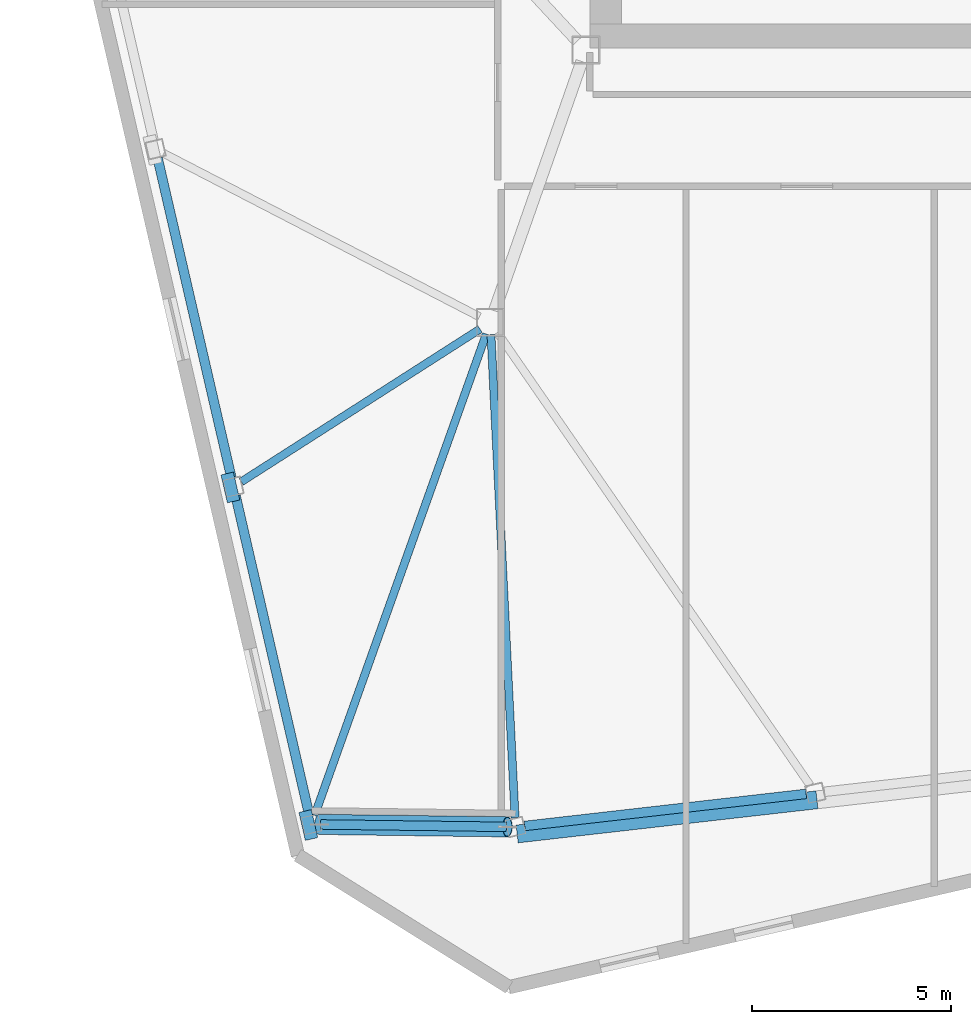
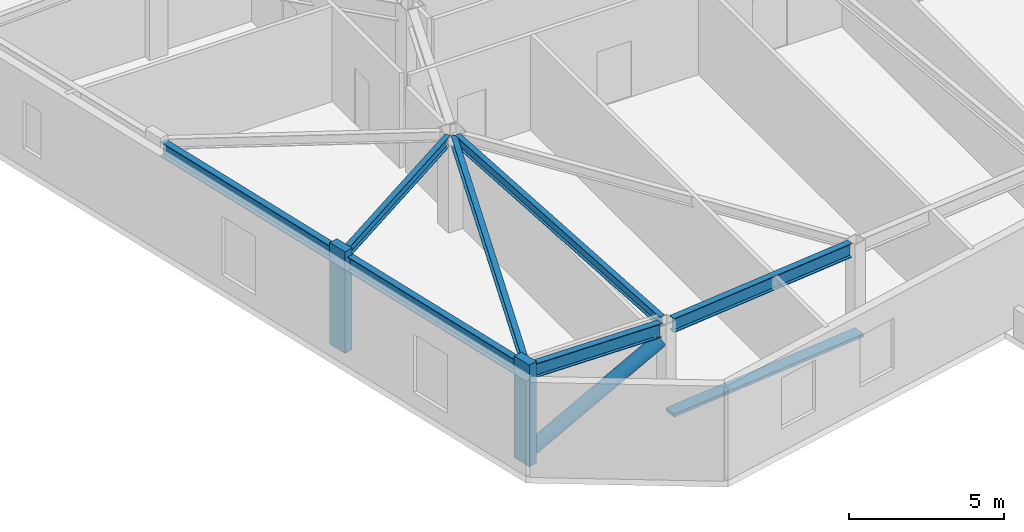
# One storey, part 4 of 23: 7 beams, 4 members.
"""IFC4 building model written with IfcOpenShell, lengths in metres."""

from ifc_helpers import new_model, si_unit, direction, frame, origin, origin_2d, place, context, subcontext, project, spatial, rectangle, hollow_circle, i_section, extrude, material, material_profile, profile_set, type_object, element, save


model = new_model("IFC4")

# Units and contexts
model_context = context("Model", 3, precision=1e-05, world=origin(), true_north=direction((0.0, 1.0)))
body_context = subcontext(model_context, "Body", "Model", "MODEL_VIEW")
ifc_project = project(units=[si_unit("LENGTHUNIT", "METRE"), si_unit("AREAUNIT", "SQUARE_METRE"), si_unit("VOLUMEUNIT", "CUBIC_METRE"), si_unit("PLANEANGLEUNIT", "RADIAN"), si_unit("MASSUNIT", "GRAM", prefix="KILO")], contexts=[model_context])

# Site, building, storey
site_placement = place(None, origin())
site = spatial("IfcSite", under=ifc_project, at=site_placement, CompositionType="ELEMENT")
building_placement = place(site_placement, origin())
building = spatial("IfcBuilding", under=site, at=building_placement, Name="Tavrogorsk Clinical Tower", CompositionType="ELEMENT")
storey_placement = place(building_placement, frame((0.0, 0.0, 289.0)))
storey = spatial("IfcBuildingStorey", under=building, at=storey_placement, Name="L67", CompositionType="ELEMENT", Elevation=289.0)

# Members
ifc_material_1 = material(Name="Anodised aluminium alloy AW-6063", Category="aluminium")
ifc_material_profile_1 = material_profile(ifc_material_1, rectangle(XDim=0.449951171875, YDim=0.1201171875, at=origin_2d()), Name="ALU-SUNSHADE-450x120")
ifc_profile_set_1 = profile_set([ifc_material_profile_1], Name="Anodised aluminium alloy AW-6063")
member_type_1 = type_object("IfcMemberType", Name="ChicagoSunshade_450x120", PredefinedType="USERDEFINED", material=ifc_profile_set_1)
member_1_placement = place(storey_placement, frame((-23.826416015625, -26.061279296875, 0.179931640625), z_axis=(0.993572551544, 0.113197106051, 0.0), x_axis=(-0.113197106051, 0.993572551544, 0.0)))
element("IfcMember", 1, at=member_1_placement, inside=storey, type_object=member_type_1, Name="L67 South Aluminium Sunshade S1", ObjectType="SUNSHADE", PredefinedType="USERDEFINED", context=body_context, shape_type="SweptSolid", body=[
    extrude(rectangle(XDim=0.449951171875, YDim=0.1201171875, at=origin_2d()), origin(), (0.0, 0.0, 1.0), 7.58544921875),
])
ifc_material_2 = material(Name="Structural steel S440", Category="steel")
ifc_material_profile_2 = material_profile(ifc_material_2, hollow_circle(Radius=0.25390625, WallThickness=0.02001953125, at=origin_2d()), Name="CHS-508x20")
ifc_profile_set_2 = profile_set([ifc_material_profile_2], Name="Structural steel S440")
member_type_2 = type_object("IfcMemberType", Name="ExoBrace_CHS508", PredefinedType="BRACE", material=ifc_profile_set_2)
member_2_placement = place(storey_placement, frame((-28.794677734375, -25.821533203125, 0.412841796875), z_axis=(0.874894907887, -0.011394569062, 0.484178752062), x_axis=(0.013022824449, 0.999915199426, 0.0)))
element("IfcMember", 2, at=member_2_placement, inside=storey, type_object=member_type_2, Name="L67 Corner Exoskeleton Brace W5-S1", PredefinedType="BRACE", context=body_context, shape_type="SweptSolid", body=[
    extrude(hollow_circle(Radius=0.25390625, WallThickness=0.02001953125, at=origin_2d()), origin(), (0.0, 0.0, 1.0), 5.3994140625),
])

# Beams
ifc_material_3 = material(Name="Structural steel S355", Category="steel")
ifc_material_profile_3 = material_profile(ifc_material_3, i_section(OverallWidth=0.199951171875, OverallDepth=0.39990234375, WebThickness=0.010498046875, FlangeThickness=0.01611328125, at=origin_2d()), Name="B-400x200x10.5x16")
ifc_profile_set_3 = profile_set([ifc_material_profile_3], Name="Structural steel S355")
beam_type_1 = type_object("IfcBeamType", Name="FloorBeam_B400", PredefinedType="BEAM", material=ifc_profile_set_3)
beam_1_placement = place(storey_placement, frame((-24.484619140625, -13.509521484375, 3.5400390625), z_axis=(0.049857498916, -0.998756341558, 0.0), x_axis=(0.998756341558, 0.049857498916, 0.0)))
element("IfcBeam", 3, at=beam_1_placement, inside=storey, type_object=beam_type_1, Name="L67 Radial Floor Beam S1", PredefinedType="BEAM", context=body_context, shape_type="SweptSolid", body=[
    extrude(i_section(OverallWidth=0.199951171875, OverallDepth=0.39990234375, WebThickness=0.010498046875, FlangeThickness=0.01611328125, at=origin_2d()), origin(), (0.0, 0.0, 1.0), 12.15869140625),
])
beam_2_placement = place(storey_placement, frame((-24.76123046875, -13.3671875, 3.5400390625), z_axis=(-0.842332392078, -0.538958385459, 0.0), x_axis=(0.538958385459, -0.842332392078, 0.0)))
element("IfcBeam", 4, at=beam_2_placement, inside=storey, type_object=beam_type_1, Name="L67 Radial Floor Beam W4", PredefinedType="BEAM", context=body_context, shape_type="SweptSolid", body=[
    extrude(i_section(OverallWidth=0.199951171875, OverallDepth=0.39990234375, WebThickness=0.010498046875, FlangeThickness=0.01611328125, at=origin_2d()), origin(), (0.0, 0.0, 1.0), 7.123779296875),
])
beam_3_placement = place(storey_placement, frame((-24.60400390625, -13.491943359375, 3.5400390625), z_axis=(-0.335800921645, -0.941932981173, 0.0), x_axis=(0.941932981173, -0.335800921645, 0.0)))
element("IfcBeam", 5, at=beam_3_placement, inside=storey, type_object=beam_type_1, Name="L67 Radial Floor Beam W5", PredefinedType="BEAM", context=body_context, shape_type="SweptSolid", body=[
    extrude(i_section(OverallWidth=0.199951171875, OverallDepth=0.39990234375, WebThickness=0.010498046875, FlangeThickness=0.01611328125, at=origin_2d()), origin(), (0.0, 0.0, 1.0), 12.85400390625),
])

# Members
ifc_material_4 = material(Name="Precast concrete B45 with limestone cladding", Category="masonry")
ifc_material_profile_4 = material_profile(ifc_material_4, rectangle(XDim=0.320068359375, YDim=0.719970703125, at=origin_2d()), Name="LIMESTONE-FIN-320x720")
ifc_profile_set_4 = profile_set([ifc_material_profile_4], Name="Precast concrete B45 with limestone cladding")
member_type_3 = type_object("IfcMemberType", Name="LimestonePleatFin_320x720", PredefinedType="USERDEFINED", material=ifc_profile_set_4)
for number, where, z_axis, x_axis, name in (
    (6, (-31.035888671875, -17.35009765625, 0.0), (0.0, 0.0, 1.0), (0.974370064785, 0.224951054344, 0.0), "L67 W Pleated Stone Fin 3"),
    (7, (-29.07666015625, -25.8369140625, 0.0), (0.0, 0.0, 1.0), (0.974370064785, 0.224951054344, 0.0), "L67 W Pleated Stone Fin 4"),
):
    element("IfcMember", number, at=place(storey_placement, frame(where, z_axis=z_axis, x_axis=x_axis)), inside=storey, type_object=member_type_3, Name=name, ObjectType="FIN", PredefinedType="USERDEFINED", context=body_context, shape_type="SweptSolid", body=[
        extrude(rectangle(XDim=0.320068359375, YDim=0.719970703125, at=origin_2d()), origin(), (0.0, 0.0, 1.0), 4.0),
    ])

# Beams
ifc_material_5 = material(Name="Structural steel S390", Category="steel")
ifc_material_profile_5 = material_profile(ifc_material_5, i_section(OverallWidth=0.239990234375, OverallDepth=0.550048828125, WebThickness=0.013916015625, FlangeThickness=0.02197265625, at=origin_2d()), Name="B-550x240x14x22")
ifc_profile_set_5 = profile_set([ifc_material_profile_5], Name="Structural steel S390")
beam_type_2 = type_object("IfcBeamType", Name="SpandrelBeam_B550", PredefinedType="SPANDREL", material=ifc_profile_set_5)
beam_4_placement = place(storey_placement, frame((-23.635498046875, -25.859375, 3.465087890625), z_axis=(0.993572073137, 0.113201305126, 0.0), x_axis=(-0.113201305126, 0.993572073137, 0.0)))
element("IfcBeam", 8, at=beam_4_placement, inside=storey, type_object=beam_type_2, Name="L67 Perimeter Spandrel S1-S2", PredefinedType="SPANDREL", context=body_context, shape_type="SweptSolid", body=[
    extrude(i_section(OverallWidth=0.239990234375, OverallDepth=0.550048828125, WebThickness=0.013916015625, FlangeThickness=0.02197265625, at=origin_2d()), origin(), (0.0, 0.0, 1.0), 7.119140625),
])
beam_5_placement = place(storey_placement, frame((-32.864990234375, -9.072509765625, 3.465087890625), z_axis=(0.224978460613, -0.974363737144, 0.0), x_axis=(0.974363737144, 0.224978460613, 0.0)))
element("IfcBeam", 9, at=beam_5_placement, inside=storey, type_object=beam_type_2, Name="L67 Perimeter Spandrel W3-W4", PredefinedType="SPANDREL", context=body_context, shape_type="SweptSolid", body=[
    extrude(i_section(OverallWidth=0.239990234375, OverallDepth=0.550048828125, WebThickness=0.013916015625, FlangeThickness=0.02197265625, at=origin_2d()), origin(), (0.0, 0.0, 1.0), 8.244140625),
])
beam_6_placement = place(storey_placement, frame((-30.905517578125, -17.559326171875, 3.465087890625), z_axis=(0.224950345141, -0.974370228517, 0.0), x_axis=(0.974370228517, 0.224950345141, 0.0)))
element("IfcBeam", 10, at=beam_6_placement, inside=storey, type_object=beam_type_2, Name="L67 Perimeter Spandrel W4-W5", PredefinedType="SPANDREL", context=body_context, shape_type="SweptSolid", body=[
    extrude(i_section(OverallWidth=0.239990234375, OverallDepth=0.550048828125, WebThickness=0.013916015625, FlangeThickness=0.02197265625, at=origin_2d()), origin(), (0.0, 0.0, 1.0), 8.243896484375),
])
beam_7_placement = place(storey_placement, frame((-28.765625, -25.822021484375, 3.465087890625), z_axis=(0.999915131489, -0.013028039754, 0.0), x_axis=(0.013028039754, 0.999915131489, 0.0)))
element("IfcBeam", 11, at=beam_7_placement, inside=storey, type_object=beam_type_2, Name="L67 Perimeter Spandrel W5-S1", PredefinedType="SPANDREL", context=body_context, shape_type="SweptSolid", body=[
    extrude(i_section(OverallWidth=0.239990234375, OverallDepth=0.550048828125, WebThickness=0.013916015625, FlangeThickness=0.02197265625, at=origin_2d()), origin(), (0.0, 0.0, 1.0), 4.666259765625),
])

save(model, "model.ifc")
